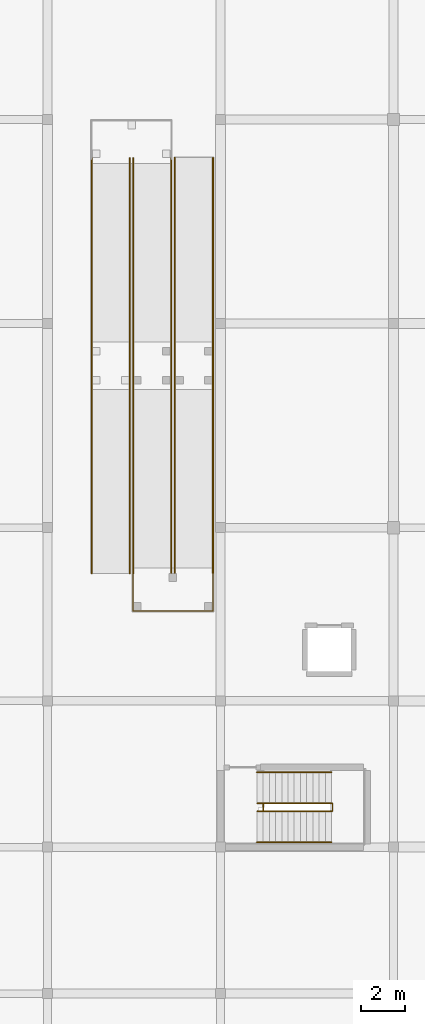
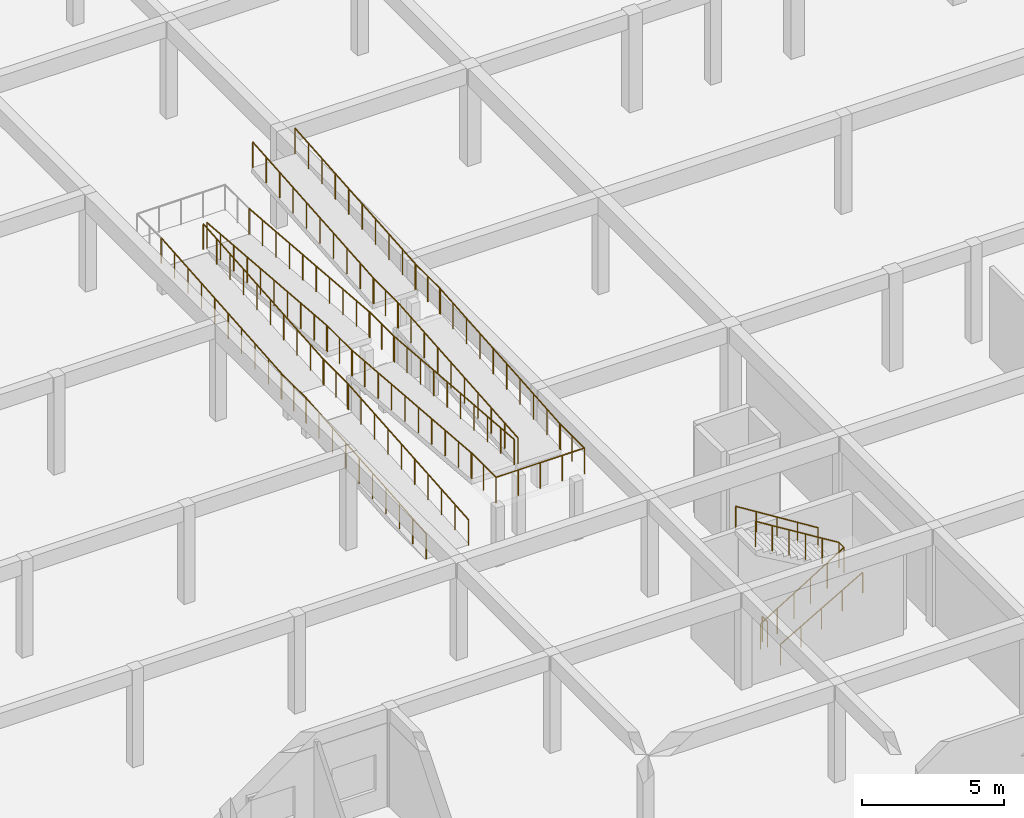
# One storey, part 66 of 75: 23 railings.
"""IFC4 building model written with IfcOpenShell, lengths in metres."""

from ifc_helpers import new_model, si_unit, direction, frame, origin, origin_2d, place, context, subcontext, project, spatial, circle, extrude, material, type_object, element, save


model = new_model("IFC4")

# Units and contexts
model_context = context("Model", 3, precision=1e-05, world=origin(), true_north=direction((0.0, 1.0)))
body_context = subcontext(model_context, "Body", "Model", "MODEL_VIEW")
ifc_project = project(units=[si_unit("LENGTHUNIT", "METRE"), si_unit("AREAUNIT", "SQUARE_METRE"), si_unit("VOLUMEUNIT", "CUBIC_METRE"), si_unit("PLANEANGLEUNIT", "RADIAN"), si_unit("MASSUNIT", "GRAM", prefix="KILO")], contexts=[model_context])

# Site, building, storey
site_placement = place(None, origin())
site = spatial("IfcSite", under=ifc_project, at=site_placement, CompositionType="ELEMENT")
building_placement = place(site_placement, origin())
building = spatial("IfcBuilding", under=site, at=building_placement, Name="Kernevlak Ridge Housing Community", CompositionType="ELEMENT")
storey_placement = place(building_placement, origin())
storey = spatial("IfcBuildingStorey", under=building, at=storey_placement, Name="L00", CompositionType="ELEMENT", Elevation=0.0)

# Railings
ifc_material_1 = material(Name="Steel S355", Category="steel")
railing_type_1 = type_object("IfcRailingType", Name="GR-02", PredefinedType="GUARDRAIL", material=ifc_material_1)
railing_1_placement = place(storey_placement, frame((58.320068359375, 37.010009765625, 0.0)))
element("IfcRailing", 1, at=railing_1_placement, inside=storey, type_object=railing_type_1, Name="Stair ST-P1 L00 well slot guard", PredefinedType="GUARDRAIL", context=body_context, shape_type="SweptSolid", body=[
    extrude(circle(Radius=0.02392578125, at=origin_2d()), frame((0.0, 0.0, 1.09619140625), z_axis=(0.0, 1.0, 0.0), x_axis=(-1.0, 0.0, 0.0)), (0.0, 0.0, 1.0), 0.3798828125),
    extrude(circle(Radius=0.02099609375, at=origin_2d()), origin(), (0.0, 0.0, 1.0), 1.072021484375),
    extrude(circle(Radius=0.02099609375, at=origin_2d()), frame((0.0, 0.3798828125, 0.0)), (0.0, 0.0, 1.0), 1.072021484375),
])
railing_2_placement = place(storey_placement, frame((58.0400390625, 37.02001953125, 0.0)))
element("IfcRailing", 2, at=railing_2_placement, inside=storey, type_object=railing_type_1, Name="Stair ST-P1 L00 inner well guardrail", PredefinedType="GUARDRAIL", context=body_context, shape_type="SweptSolid", body=[
    extrude(circle(Radius=0.02392578125, at=origin_2d()), frame((0.0, 0.0, 1.09619140625), z_axis=(0.850780323153, 0.0, 0.525521495028), x_axis=(0.0, 1.0, 0.0)), (0.0, 0.0, 1.0), 3.996337890625),
    extrude(circle(Radius=0.02392578125, at=origin_2d()), frame((3.39990234375, 0.0, 3.1962890625), z_axis=(0.0, 1.0, 0.0), x_axis=(-1.0, 0.0, 0.0)), (0.0, 0.0, 1.0), 0.35986328125),
    extrude(circle(Radius=0.02392578125, at=origin_2d()), frame((3.39990234375, 0.35986328125, 3.1962890625), z_axis=(-0.85080763774, 0.0, 0.525477272167), x_axis=(0.0, -1.0, 0.0)), (0.0, 0.0, 1.0), 3.99609375),
    extrude(circle(Radius=0.02099609375, at=origin_2d()), origin(), (0.0, 0.0, 1.0), 1.072021484375),
    extrude(circle(Radius=0.02099609375, at=origin_2d()), frame((0.679931640625, 0.0, 0.419921875)), (0.0, 0.0, 1.0), 1.072021484375),
    extrude(circle(Radius=0.02099609375, at=origin_2d()), frame((1.35986328125, 0.0, 0.840087890625)), (0.0, 0.0, 1.0), 1.072021484375),
    extrude(circle(Radius=0.02099609375, at=origin_2d()), frame((2.0400390625, 0.0, 1.260009765625)), (0.0, 0.0, 1.0), 1.072021484375),
    extrude(circle(Radius=0.02099609375, at=origin_2d()), frame((2.719970703125, 0.0, 1.68017578125)), (0.0, 0.0, 1.0), 1.072021484375),
    extrude(circle(Radius=0.02099609375, at=origin_2d()), frame((3.39990234375, 0.0, 2.10009765625)), (0.0, 0.0, 1.0), 1.072021484375),
    extrude(circle(Radius=0.02099609375, at=origin_2d()), frame((3.39990234375, 0.35986328125, 2.10009765625)), (0.0, 0.0, 1.0), 1.072021484375),
    extrude(circle(Radius=0.02099609375, at=origin_2d()), frame((2.719970703125, 0.35986328125, 2.52001953125)), (0.0, 0.0, 1.0), 1.072021484375),
    extrude(circle(Radius=0.02099609375, at=origin_2d()), frame((2.0400390625, 0.35986328125, 2.93994140625)), (0.0, 0.0, 1.0), 1.072021484375),
    extrude(circle(Radius=0.02099609375, at=origin_2d()), frame((1.35986328125, 0.35986328125, 3.360107421875)), (0.0, 0.0, 1.0), 1.072021484375),
    extrude(circle(Radius=0.02099609375, at=origin_2d()), frame((0.679931640625, 0.35986328125, 3.780029296875)), (0.0, 0.0, 1.0), 1.072021484375),
    extrude(circle(Radius=0.02099609375, at=origin_2d()), frame((0.0, 0.35986328125, 4.199951171875)), (0.0, 0.0, 1.0), 1.072021484375),
])
for number, where, name in (
    (3, (50.590087890625, 56.199951171875, 0.699951171875), "Accessible ramp landing 1 guard 1"),
    (4, (52.31005859375, 56.199951171875, 0.699951171875), "Accessible ramp landing 1 guard 2"),
    (5, (52.4599609375, 56.199951171875, 2.10009765625), "Accessible ramp landing 3 guard 1"),
    (6, (54.179931640625, 56.199951171875, 2.10009765625), "Accessible ramp landing 3 guard 2"),
):
    element("IfcRailing", number, at=place(storey_placement, frame(where)), inside=storey, type_object=railing_type_1, Name=name, PredefinedType="GUARDRAIL", context=body_context, shape_type="SweptSolid", body=[
        extrude(circle(Radius=0.02392578125, at=origin_2d()), frame((0.0, 0.0, 1.09619140625), z_axis=(0.0, 1.0, 0.0), x_axis=(-1.0, 0.0, 0.0)), (0.0, 0.0, 1.0), 1.800048828125),
        extrude(circle(Radius=0.02099609375, at=origin_2d()), origin(), (0.0, 0.0, 1.0), 1.072021484375),
        extrude(circle(Radius=0.02099609375, at=origin_2d()), frame((0.0, 0.89990234375, 0.0)), (0.0, 0.0, 1.0), 1.072021484375),
        extrude(circle(Radius=0.02099609375, at=origin_2d()), frame((0.0, 1.800048828125, 0.0)), (0.0, 0.0, 1.0), 1.072021484375),
    ])
railing_3_placement = place(storey_placement, frame((52.4599609375, 47.800048828125, 2.800048828125)))
element("IfcRailing", 7, at=railing_3_placement, inside=storey, type_object=railing_type_1, Name="Accessible ramp landing 4 guard 1", PredefinedType="GUARDRAIL", context=body_context, shape_type="SweptSolid", body=[
    extrude(circle(Radius=0.02392578125, at=origin_2d()), frame((0.0, 0.0, 1.09619140625), z_axis=(0.0, -1.0, 0.0), x_axis=(1.0, 0.0, 0.0)), (0.0, 0.0, 1.0), 1.760009765625),
    extrude(circle(Radius=0.02392578125, at=origin_2d()), frame((0.0, -1.760009765625, 1.09619140625), z_axis=(1.0, 0.0, 0.0), x_axis=(0.0, 1.0, 0.0)), (0.0, 0.0, 1.0), 3.60009765625),
    extrude(circle(Radius=0.02392578125, at=origin_2d()), frame((3.60009765625, -1.760009765625, 1.09619140625), z_axis=(0.0, 1.0, 0.0), x_axis=(-1.0, 0.0, 0.0)), (0.0, 0.0, 1.0), 1.760009765625),
    extrude(circle(Radius=0.02099609375, at=origin_2d()), origin(), (0.0, 0.0, 1.0), 1.072021484375),
    extrude(circle(Radius=0.02099609375, at=origin_2d()), frame((0.0, -0.8798828125, 0.0)), (0.0, 0.0, 1.0), 1.072021484375),
    extrude(circle(Radius=0.02099609375, at=origin_2d()), frame((0.0, -1.760009765625, 0.0)), (0.0, 0.0, 1.0), 1.072021484375),
    extrude(circle(Radius=0.02099609375, at=origin_2d()), frame((0.89990234375, -1.760009765625, 0.0)), (0.0, 0.0, 1.0), 1.072021484375),
    extrude(circle(Radius=0.02099609375, at=origin_2d()), frame((1.800048828125, -1.760009765625, 0.0)), (0.0, 0.0, 1.0), 1.072021484375),
    extrude(circle(Radius=0.02099609375, at=origin_2d()), frame((2.7001953125, -1.760009765625, 0.0)), (0.0, 0.0, 1.0), 1.072021484375),
    extrude(circle(Radius=0.02099609375, at=origin_2d()), frame((3.60009765625, -1.760009765625, 0.0)), (0.0, 0.0, 1.0), 1.072021484375),
    extrude(circle(Radius=0.02099609375, at=origin_2d()), frame((3.60009765625, -0.8798828125, 0.0)), (0.0, 0.0, 1.0), 1.072021484375),
    extrude(circle(Radius=0.02099609375, at=origin_2d()), frame((3.60009765625, 0.0, 0.0)), (0.0, 0.0, 1.0), 1.072021484375),
])
for number, where, name in (
    (8, (54.340087890625, 56.199951171875, 3.5), "Accessible ramp landing 5 guard 1"),
    (9, (56.06005859375, 56.199951171875, 3.5), "Accessible ramp landing 5 guard 2"),
):
    element("IfcRailing", number, at=place(storey_placement, frame(where)), inside=storey, type_object=railing_type_1, Name=name, PredefinedType="GUARDRAIL", context=body_context, shape_type="SweptSolid", body=[
        extrude(circle(Radius=0.02392578125, at=origin_2d()), frame((0.0, 0.0, 1.09619140625), z_axis=(0.0, 1.0, 0.0), x_axis=(-1.0, 0.0, 0.0)), (0.0, 0.0, 1.0), 1.800048828125),
        extrude(circle(Radius=0.02099609375, at=origin_2d()), origin(), (0.0, 0.0, 1.0), 1.072021484375),
        extrude(circle(Radius=0.02099609375, at=origin_2d()), frame((0.0, 0.89990234375, 0.0)), (0.0, 0.0, 1.0), 1.072021484375),
        extrude(circle(Radius=0.02099609375, at=origin_2d()), frame((0.0, 1.800048828125, 0.0)), (0.0, 0.0, 1.0), 1.072021484375),
    ])
for number, where, name in (
    (10, (50.590087890625, 47.739990234375, 0.0), "Accessible ramp flight 1 guard 1"),
    (11, (52.31005859375, 47.739990234375, 0.0), "Accessible ramp flight 1 guard 2"),
    (12, (50.590087890625, 57.93994140625, 0.699951171875), "Accessible ramp flight 2 guard 1"),
    (13, (52.31005859375, 57.93994140625, 0.699951171875), "Accessible ramp flight 2 guard 2"),
):
    element("IfcRailing", number, at=place(storey_placement, frame(where)), inside=storey, type_object=railing_type_1, Name=name, PredefinedType="GUARDRAIL", context=body_context, shape_type="SweptSolid", body=[
        extrude(circle(Radius=0.02392578125, at=origin_2d()), frame((0.0, 0.0, 1.09619140625), z_axis=(0.0, 0.996642370905, 0.081877863413), x_axis=(-1.0, 0.0, 0.0)), (0.0, 0.0, 1.0), 8.548828125),
        extrude(circle(Radius=0.02099609375, at=origin_2d()), origin(), (0.0, 0.0, 1.0), 1.072021484375),
        extrude(circle(Radius=0.02099609375, at=origin_2d()), frame((0.0, 0.94677734375, 0.077880859375)), (0.0, 0.0, 1.0), 1.072021484375),
        extrude(circle(Radius=0.02099609375, at=origin_2d()), frame((0.0, 1.893310546875, 0.155517578125)), (0.0, 0.0, 1.0), 1.072021484375),
        extrude(circle(Radius=0.02099609375, at=origin_2d()), frame((0.0, 2.840087890625, 0.2333984375)), (0.0, 0.0, 1.0), 1.072021484375),
        extrude(circle(Radius=0.02099609375, at=origin_2d()), frame((0.0, 3.78662109375, 0.31103515625)), (0.0, 0.0, 1.0), 1.072021484375),
        extrude(circle(Radius=0.02099609375, at=origin_2d()), frame((0.0, 4.7333984375, 0.388916015625)), (0.0, 0.0, 1.0), 1.072021484375),
        extrude(circle(Radius=0.02099609375, at=origin_2d()), frame((0.0, 5.679931640625, 0.466552734375)), (0.0, 0.0, 1.0), 1.072021484375),
        extrude(circle(Radius=0.02099609375, at=origin_2d()), frame((0.0, 6.626708984375, 0.54443359375)), (0.0, 0.0, 1.0), 1.072021484375),
        extrude(circle(Radius=0.02099609375, at=origin_2d()), frame((0.0, 7.5732421875, 0.6220703125)), (0.0, 0.0, 1.0), 1.072021484375),
        extrude(circle(Radius=0.02099609375, at=origin_2d()), frame((0.0, 8.52001953125, 0.699951171875)), (0.0, 0.0, 1.0), 1.072021484375),
    ])
for number, where, name in (
    (14, (52.4599609375, 66.4599609375, 1.39990234375), "Accessible ramp flight 3 guard 1"),
    (15, (54.179931640625, 66.4599609375, 1.39990234375), "Accessible ramp flight 3 guard 2"),
):
    element("IfcRailing", number, at=place(storey_placement, frame(where)), inside=storey, type_object=railing_type_1, Name=name, PredefinedType="GUARDRAIL", context=body_context, shape_type="SweptSolid", body=[
        extrude(circle(Radius=0.02392578125, at=origin_2d()), frame((0.0, 0.0, 1.09619140625), z_axis=(0.0, -0.996640040031, 0.081906230581), x_axis=(1.0, 0.0, 0.0)), (0.0, 0.0, 1.0), 8.548828125),
        extrude(circle(Radius=0.02099609375, at=origin_2d()), origin(), (0.0, 0.0, 1.0), 1.072021484375),
        extrude(circle(Radius=0.02099609375, at=origin_2d()), frame((0.0, -0.94677734375, 0.077880859375)), (0.0, 0.0, 1.0), 1.072021484375),
        extrude(circle(Radius=0.02099609375, at=origin_2d()), frame((0.0, -1.893310546875, 0.155517578125)), (0.0, 0.0, 1.0), 1.072021484375),
        extrude(circle(Radius=0.02099609375, at=origin_2d()), frame((0.0, -2.840087890625, 0.2333984375)), (0.0, 0.0, 1.0), 1.072021484375),
        extrude(circle(Radius=0.02099609375, at=origin_2d()), frame((0.0, -3.78662109375, 0.311279296875)), (0.0, 0.0, 1.0), 1.072021484375),
        extrude(circle(Radius=0.02099609375, at=origin_2d()), frame((0.0, -4.7333984375, 0.388916015625)), (0.0, 0.0, 1.0), 1.072021484375),
        extrude(circle(Radius=0.02099609375, at=origin_2d()), frame((0.0, -5.679931640625, 0.466796875)), (0.0, 0.0, 1.0), 1.072021484375),
        extrude(circle(Radius=0.02099609375, at=origin_2d()), frame((0.0, -6.626708984375, 0.544677734375)), (0.0, 0.0, 1.0), 1.072021484375),
        extrude(circle(Radius=0.02099609375, at=origin_2d()), frame((0.0, -7.5732421875, 0.622314453125)), (0.0, 0.0, 1.0), 1.072021484375),
        extrude(circle(Radius=0.02099609375, at=origin_2d()), frame((0.0, -8.52001953125, 0.7001953125)), (0.0, 0.0, 1.0), 1.072021484375),
    ])
for number, where, name in (
    (16, (52.4599609375, 56.260009765625, 2.10009765625), "Accessible ramp flight 4 guard 1"),
    (17, (54.179931640625, 56.260009765625, 2.10009765625), "Accessible ramp flight 4 guard 2"),
):
    element("IfcRailing", number, at=place(storey_placement, frame(where)), inside=storey, type_object=railing_type_1, Name=name, PredefinedType="GUARDRAIL", context=body_context, shape_type="SweptSolid", body=[
        extrude(circle(Radius=0.02392578125, at=origin_2d()), frame((0.0, 0.0, 1.09619140625), z_axis=(0.0, -0.996642370905, 0.081877863413), x_axis=(1.0, 0.0, 0.0)), (0.0, 0.0, 1.0), 8.548828125),
        extrude(circle(Radius=0.02099609375, at=origin_2d()), origin(), (0.0, 0.0, 1.0), 1.072021484375),
        extrude(circle(Radius=0.02099609375, at=origin_2d()), frame((0.0, -0.94677734375, 0.077880859375)), (0.0, 0.0, 1.0), 1.072021484375),
        extrude(circle(Radius=0.02099609375, at=origin_2d()), frame((0.0, -1.893310546875, 0.155517578125)), (0.0, 0.0, 1.0), 1.072021484375),
        extrude(circle(Radius=0.02099609375, at=origin_2d()), frame((0.0, -2.840087890625, 0.2333984375)), (0.0, 0.0, 1.0), 1.072021484375),
        extrude(circle(Radius=0.02099609375, at=origin_2d()), frame((0.0, -3.78662109375, 0.31103515625)), (0.0, 0.0, 1.0), 1.072021484375),
        extrude(circle(Radius=0.02099609375, at=origin_2d()), frame((0.0, -4.7333984375, 0.388916015625)), (0.0, 0.0, 1.0), 1.072021484375),
        extrude(circle(Radius=0.02099609375, at=origin_2d()), frame((0.0, -5.679931640625, 0.466552734375)), (0.0, 0.0, 1.0), 1.072021484375),
        extrude(circle(Radius=0.02099609375, at=origin_2d()), frame((0.0, -6.626708984375, 0.54443359375)), (0.0, 0.0, 1.0), 1.072021484375),
        extrude(circle(Radius=0.02099609375, at=origin_2d()), frame((0.0, -7.5732421875, 0.6220703125)), (0.0, 0.0, 1.0), 1.072021484375),
        extrude(circle(Radius=0.02099609375, at=origin_2d()), frame((0.0, -8.52001953125, 0.699951171875)), (0.0, 0.0, 1.0), 1.072021484375),
    ])
for number, where, name in (
    (18, (54.340087890625, 47.739990234375, 2.800048828125), "Accessible ramp flight 5 guard 1"),
    (19, (56.06005859375, 47.739990234375, 2.800048828125), "Accessible ramp flight 5 guard 2"),
):
    element("IfcRailing", number, at=place(storey_placement, frame(where)), inside=storey, type_object=railing_type_1, Name=name, PredefinedType="GUARDRAIL", context=body_context, shape_type="SweptSolid", body=[
        extrude(circle(Radius=0.02392578125, at=origin_2d()), frame((0.0, 0.0, 1.09619140625), z_axis=(0.0, 0.996642370905, 0.081877863413), x_axis=(-1.0, 0.0, 0.0)), (0.0, 0.0, 1.0), 8.548828125),
        extrude(circle(Radius=0.02099609375, at=origin_2d()), origin(), (0.0, 0.0, 1.0), 1.072021484375),
        extrude(circle(Radius=0.02099609375, at=origin_2d()), frame((0.0, 0.94677734375, 0.077880859375)), (0.0, 0.0, 1.0), 1.072021484375),
        extrude(circle(Radius=0.02099609375, at=origin_2d()), frame((0.0, 1.893310546875, 0.155517578125)), (0.0, 0.0, 1.0), 1.072021484375),
        extrude(circle(Radius=0.02099609375, at=origin_2d()), frame((0.0, 2.840087890625, 0.2333984375)), (0.0, 0.0, 1.0), 1.072021484375),
        extrude(circle(Radius=0.02099609375, at=origin_2d()), frame((0.0, 3.78662109375, 0.31103515625)), (0.0, 0.0, 1.0), 1.072021484375),
        extrude(circle(Radius=0.02099609375, at=origin_2d()), frame((0.0, 4.7333984375, 0.388916015625)), (0.0, 0.0, 1.0), 1.072021484375),
        extrude(circle(Radius=0.02099609375, at=origin_2d()), frame((0.0, 5.679931640625, 0.466552734375)), (0.0, 0.0, 1.0), 1.072021484375),
        extrude(circle(Radius=0.02099609375, at=origin_2d()), frame((0.0, 6.626708984375, 0.54443359375)), (0.0, 0.0, 1.0), 1.072021484375),
        extrude(circle(Radius=0.02099609375, at=origin_2d()), frame((0.0, 7.5732421875, 0.6220703125)), (0.0, 0.0, 1.0), 1.072021484375),
        extrude(circle(Radius=0.02099609375, at=origin_2d()), frame((0.0, 8.52001953125, 0.699951171875)), (0.0, 0.0, 1.0), 1.072021484375),
    ])
for number, where, name in (
    (20, (54.340087890625, 57.93994140625, 3.5), "Accessible ramp flight 6 guard 1"),
    (21, (56.06005859375, 57.93994140625, 3.5), "Accessible ramp flight 6 guard 2"),
):
    element("IfcRailing", number, at=place(storey_placement, frame(where)), inside=storey, type_object=railing_type_1, Name=name, PredefinedType="GUARDRAIL", context=body_context, shape_type="SweptSolid", body=[
        extrude(circle(Radius=0.02392578125, at=origin_2d()), frame((0.0, 0.0, 1.09619140625), z_axis=(0.0, 0.996658015607, 0.081687207854), x_axis=(-1.0, 0.0, 0.0)), (0.0, 0.0, 1.0), 8.568603515625),
        extrude(circle(Radius=0.02099609375, at=origin_2d()), origin(), (0.0, 0.0, 1.0), 1.072021484375),
        extrude(circle(Radius=0.02099609375, at=origin_2d()), frame((0.0, 0.948974609375, 0.077880859375)), (0.0, 0.0, 1.0), 1.072021484375),
        extrude(circle(Radius=0.02099609375, at=origin_2d()), frame((0.0, 1.897705078125, 0.155517578125)), (0.0, 0.0, 1.0), 1.072021484375),
        extrude(circle(Radius=0.02099609375, at=origin_2d()), frame((0.0, 2.8466796875, 0.2333984375)), (0.0, 0.0, 1.0), 1.072021484375),
        extrude(circle(Radius=0.02099609375, at=origin_2d()), frame((0.0, 3.795654296875, 0.31103515625)), (0.0, 0.0, 1.0), 1.072021484375),
        extrude(circle(Radius=0.02099609375, at=origin_2d()), frame((0.0, 4.744384765625, 0.388916015625)), (0.0, 0.0, 1.0), 1.072021484375),
        extrude(circle(Radius=0.02099609375, at=origin_2d()), frame((0.0, 5.693359375, 0.466552734375)), (0.0, 0.0, 1.0), 1.072021484375),
        extrude(circle(Radius=0.02099609375, at=origin_2d()), frame((0.0, 6.642333984375, 0.54443359375)), (0.0, 0.0, 1.0), 1.072021484375),
        extrude(circle(Radius=0.02099609375, at=origin_2d()), frame((0.0, 7.591064453125, 0.6220703125)), (0.0, 0.0, 1.0), 1.072021484375),
        extrude(circle(Radius=0.02099609375, at=origin_2d()), frame((0.0, 8.5400390625, 0.699951171875)), (0.0, 0.0, 1.0), 1.072021484375),
    ])
ifc_material_2 = material(Name="Stainless steel EN 1.4401", Category="steel")
railing_type_2 = type_object("IfcRailingType", Name="HR-01", PredefinedType="HANDRAIL", material=ifc_material_2)
railing_4_placement = place(storey_placement, frame((58.0400390625, 35.6201171875, 0.16162109375)))
element("IfcRailing", 22, at=railing_4_placement, inside=storey, type_object=railing_type_2, Name="Stair ST-P1 L00 flight 1 handrail", PredefinedType="HANDRAIL", context=body_context, shape_type="SweptSolid", body=[
    extrude(circle(Radius=0.02392578125, at=origin_2d()), frame((0.0, 0.0, 0.89599609375), z_axis=(0.866175107563, 0.0, 0.499740615757), x_axis=(0.0, 1.0, 0.0)), (0.0, 0.0, 1.0), 3.87890625),
    extrude(circle(Radius=0.02099609375, at=origin_2d()), origin(), (0.0, 0.0, 1.0), 0.871826171875),
    extrude(circle(Radius=0.02099609375, at=origin_2d()), frame((0.83984375, 0.0, 0.484619140625)), (0.0, 0.0, 1.0), 0.871826171875),
    extrude(circle(Radius=0.02099609375, at=origin_2d()), frame((1.679931640625, 0.0, 0.96923828125)), (0.0, 0.0, 1.0), 0.871826171875),
    extrude(circle(Radius=0.02099609375, at=origin_2d()), frame((2.52001953125, 0.0, 1.453857421875)), (0.0, 0.0, 1.0), 0.871826171875),
    extrude(circle(Radius=0.02099609375, at=origin_2d()), frame((3.35986328125, 0.0, 1.9384765625)), (0.0, 0.0, 1.0), 0.871826171875),
])
railing_5_placement = place(storey_placement, frame((61.39990234375, 38.780029296875, 2.10009765625)))
element("IfcRailing", 23, at=railing_5_placement, inside=storey, type_object=railing_type_2, Name="Stair ST-P1 L00 flight 2 handrail", PredefinedType="HANDRAIL", context=body_context, shape_type="SweptSolid", body=[
    extrude(circle(Radius=0.02392578125, at=origin_2d()), frame((0.0, 0.0, 0.89599609375), z_axis=(-0.848005227453, 0.0, 0.529987862325), x_axis=(0.0, -1.0, 0.0)), (0.0, 0.0, 1.0), 3.962158203125),
    extrude(circle(Radius=0.02099609375, at=origin_2d()), origin(), (0.0, 0.0, 1.0), 0.871826171875),
    extrude(circle(Radius=0.02099609375, at=origin_2d()), frame((-0.83984375, 0.0, 0.52490234375)), (0.0, 0.0, 1.0), 0.871826171875),
    extrude(circle(Radius=0.02099609375, at=origin_2d()), frame((-1.679931640625, 0.0, 1.0498046875)), (0.0, 0.0, 1.0), 0.871826171875),
    extrude(circle(Radius=0.02099609375, at=origin_2d()), frame((-2.52001953125, 0.0, 1.574951171875)), (0.0, 0.0, 1.0), 0.871826171875),
    extrude(circle(Radius=0.02099609375, at=origin_2d()), frame((-3.35986328125, 0.0, 2.099853515625)), (0.0, 0.0, 1.0), 0.871826171875),
])

save(model, "model.ifc")
